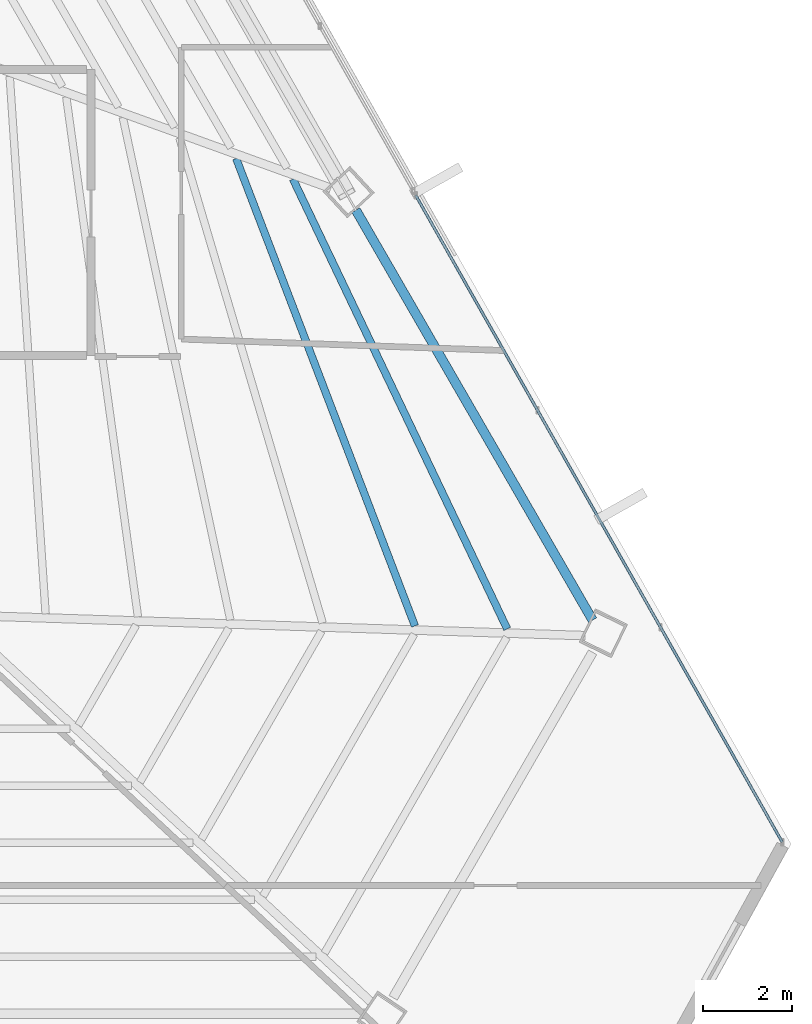
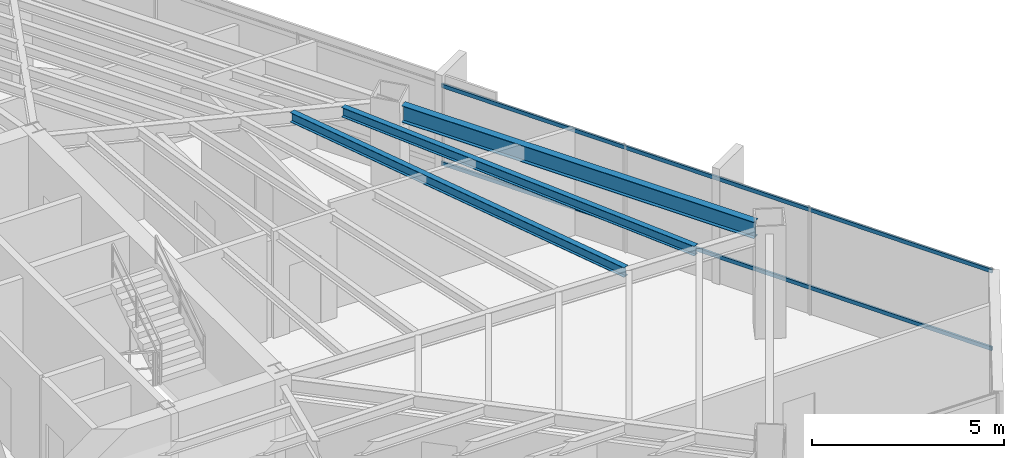
# One storey, part 23 of 41: 3 beams, 2 members, 1 element without a shape of its own.
"""IFC4 building model written with IfcOpenShell, lengths in metres."""

from ifc_helpers import new_model, si_unit, direction, frame, origin, origin_2d, place, context, subcontext, project, spatial, hollow_rectangle, i_section, extrude, source, transform, mapped, material, material_profile, profile_set, type_object, type_shapes, element, aggregate, save


model = new_model("IFC4")

# Units and contexts
model_context = context("Model", 3, precision=1e-05, world=origin(), true_north=direction((0.0, 1.0)))
body_context = subcontext(model_context, "Body", "Model", "MODEL_VIEW")
ifc_project = project(units=[si_unit("LENGTHUNIT", "METRE"), si_unit("AREAUNIT", "SQUARE_METRE"), si_unit("VOLUMEUNIT", "CUBIC_METRE"), si_unit("PLANEANGLEUNIT", "RADIAN"), si_unit("MASSUNIT", "GRAM", prefix="KILO")], contexts=[model_context])

# Site, building, storey
site_placement = place(None, origin())
site = spatial("IfcSite", under=ifc_project, at=site_placement, CompositionType="ELEMENT")
building_placement = place(site_placement, origin())
building = spatial("IfcBuilding", under=site, at=building_placement, Name="Caelisora Broadcast Tower", CompositionType="ELEMENT")
storey_placement = place(building_placement, frame((0.0, 0.0, 209.60009765625)))
storey = spatial("IfcBuildingStorey", under=building, at=storey_placement, Name="L55", CompositionType="ELEMENT", Elevation=209.60009765625)

# Beams
ifc_material_1 = material(Name="Steel Grade 350 (AS/NZS 3679.1)", Category="steel")
ifc_material_profile_1 = material_profile(ifc_material_1, i_section(OverallWidth=0.208984375, OverallDepth=0.532958984375, WebThickness=0.01025390625, FlangeThickness=0.015625, at=origin_2d()), Name="Steel Grade 350 (AS/NZS 3679.1)")
ifc_profile_set_1 = profile_set([ifc_material_profile_1], Name="Steel Grade 350 (AS/NZS 3679.1)")
beam_type_1 = type_object("IfcBeamType", Name="PG05", PredefinedType="BEAM", material=ifc_profile_set_1)
shared_shape_1 = source(origin(), body_context, "Body", "SweptSolid", [
    extrude(i_section(OverallWidth=0.208984375, OverallDepth=0.532958984375, WebThickness=0.01025390625, FlangeThickness=0.015625, at=origin_2d()), origin(), (0.0, 0.0, 1.0), 10.58984375),
])
type_shapes(beam_type_1, [shared_shape_1])
beam_1_placement = place(storey_placement, frame((59.801513671875, 17.2841796875, 3.13330078125), z_axis=(-0.499997184019, 0.866027029586, 0.0), x_axis=(-0.866027029586, -0.499997184019, 0.0)))
element("IfcBeam", 1, at=beam_1_placement, inside=storey, type_object=beam_type_1, Name="L55 beam PG05", PredefinedType="BEAM", context=body_context, shape_type="MappedRepresentation", body=[
    mapped(shared_shape_1, transform((0.0, 0.0, 0.0), scale=1.0)),
])
ifc_material_profile_2 = material_profile(ifc_material_1, i_section(OverallWidth=0.166015625, OverallDepth=0.30712890625, WebThickness=0.006591796875, FlangeThickness=0.01171875, at=origin_2d()), Name="Steel Grade 350 (AS/NZS 3679.1)")
ifc_profile_set_2 = profile_set([ifc_material_profile_2], Name="Steel Grade 350 (AS/NZS 3679.1)")
beam_type_2 = type_object("IfcBeamType", Name="SB03", PredefinedType="JOIST", material=ifc_profile_set_2)
shared_shape_2 = source(origin(), body_context, "Body", "SweptSolid", [
    extrude(i_section(OverallWidth=0.166015625, OverallDepth=0.30712890625, WebThickness=0.006591796875, FlangeThickness=0.01171875, at=origin_2d()), origin(), (0.0, 0.0, 1.0), 11.195068359375),
])
beam_2_placement = place(storey_placement, frame((55.827880859375, 17.154052734375, 3.246337890625), z_axis=(-0.357236513633, 0.93401395778, 0.0), x_axis=(-0.93401395778, -0.357236513633, 0.0)))
element("IfcBeam", 2, at=beam_2_placement, inside=storey, type_object=beam_type_2, Name="L55 beam SB03", PredefinedType="JOIST", context=body_context, shape_type="MappedRepresentation", body=[
    mapped(shared_shape_2, transform((0.0, 0.0, 0.0), scale=1.0)),
])
shared_shape_3 = source(origin(), body_context, "Body", "SweptSolid", [
    extrude(i_section(OverallWidth=0.166015625, OverallDepth=0.30712890625, WebThickness=0.006591796875, FlangeThickness=0.01171875, at=origin_2d()), origin(), (0.0, 0.0, 1.0), 11.147216796875),
])
type_shapes(beam_type_2, [shared_shape_2, shared_shape_3])
beam_3_placement = place(storey_placement, frame((57.891845703125, 17.086181640625, 3.246337890625), z_axis=(-0.429969286303, 0.902843515143, 0.0), x_axis=(-0.902843515143, -0.429969286303, 0.0)))
element("IfcBeam", 3, at=beam_3_placement, inside=storey, type_object=beam_type_2, Name="L55 beam SB03", PredefinedType="JOIST", context=body_context, shape_type="MappedRepresentation", body=[
    mapped(shared_shape_3, transform((0.0, 0.0, 0.0), scale=1.0)),
])

# Curtain wall, members
ifc_material_2 = material(Name="Unitised Aluminium and Low-E Glass Curtain Wall", Category="glass")
curtain_wall_type = type_object("IfcCurtainWallType", Name="CW-Z4", PredefinedType="NOTDEFINED", material=ifc_material_2)
curtain_wall_placement = place(storey_placement, origin())
curtain_wall = element("IfcCurtainWall", 4, at=curtain_wall_placement, inside=storey, type_object=curtain_wall_type, Name="L55 curtain wall CW-Z4", PredefinedType="NOTDEFINED")
ifc_material_3 = material(Name="Aluminium 6063-T6 Anodised Terracotta Bronze", Category="aluminium")
ifc_material_profile_3 = material_profile(ifc_material_3, hollow_rectangle(XDim=0.06005859375, YDim=0.1201171875, WallThickness=0.0029296875, at=origin_2d()), Name="Aluminium 6063-T6 Anodised Terracotta Bronze")
ifc_profile_set_3 = profile_set([ifc_material_profile_3], Name="Aluminium 6063-T6 Anodised Terracotta Bronze")
member_type = type_object("IfcMemberType", Name="CWT-03", PredefinedType="USERDEFINED", material=ifc_profile_set_3)
shared_shape_4 = source(origin(), body_context, "Body", "SweptSolid", [
    extrude(hollow_rectangle(XDim=0.06005859375, YDim=0.1201171875, WallThickness=0.0029296875, at=origin_2d()), origin(), (0.0, 0.0, 1.0), 16.63134765625),
])
type_shapes(member_type, [shared_shape_4])
member_1_placement = place(storey_placement, frame((55.845703125, 26.786376953125, 0.849853515625), z_axis=(0.49297071785, -0.87004590186, 0.0), x_axis=(0.87004590186, 0.49297071785, 0.0)))
member_1 = element("IfcMember", 5, at=member_1_placement, type_object=member_type, Name="L55-CW-B03 transom #1", ObjectType="TRANSOM", PredefinedType="USERDEFINED", context=body_context, shape_type="MappedRepresentation", body=[
    mapped(shared_shape_4, transform((0.0, 0.0, 0.0), scale=1.0)),
])
member_2_placement = place(storey_placement, frame((55.845703125, 26.786376953125, 3.31982421875), z_axis=(0.49297071785, -0.87004590186, 0.0), x_axis=(0.87004590186, 0.49297071785, 0.0)))
member_2 = element("IfcMember", 6, at=member_2_placement, type_object=member_type, Name="L55-CW-B03 transom #2", ObjectType="TRANSOM", PredefinedType="USERDEFINED", context=body_context, shape_type="MappedRepresentation", body=[
    mapped(shared_shape_4, transform((0.0, 0.0, 0.0), scale=1.0)),
])
aggregate(curtain_wall, [member_1, member_2])

save(model, "model.ifc")
